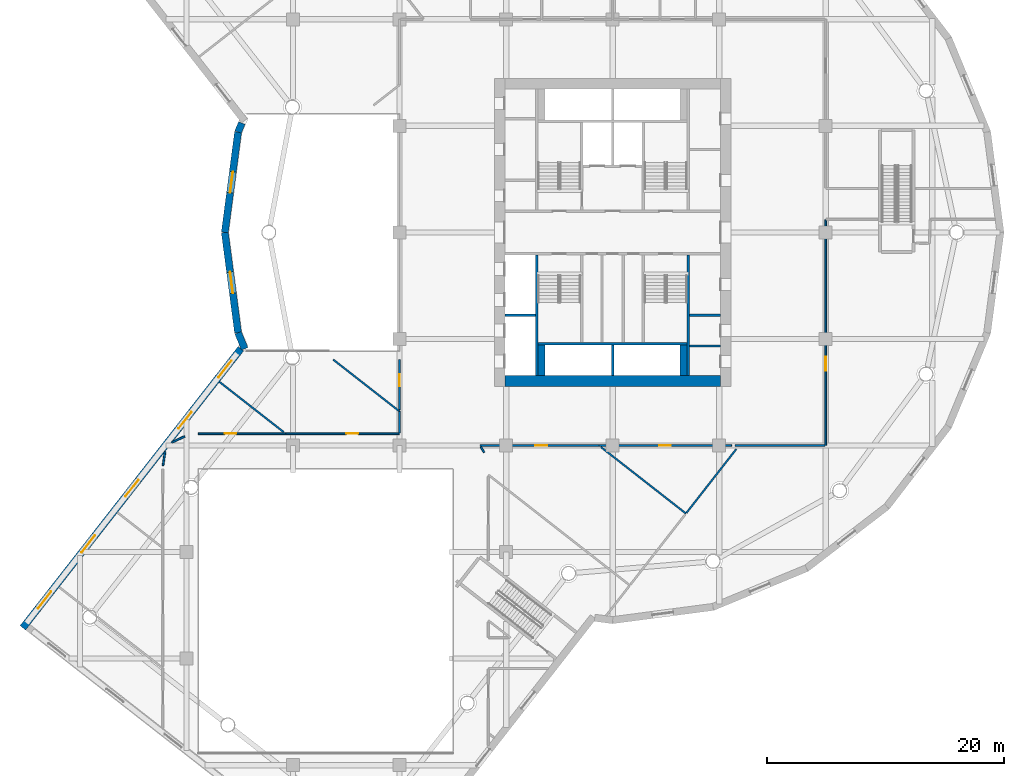
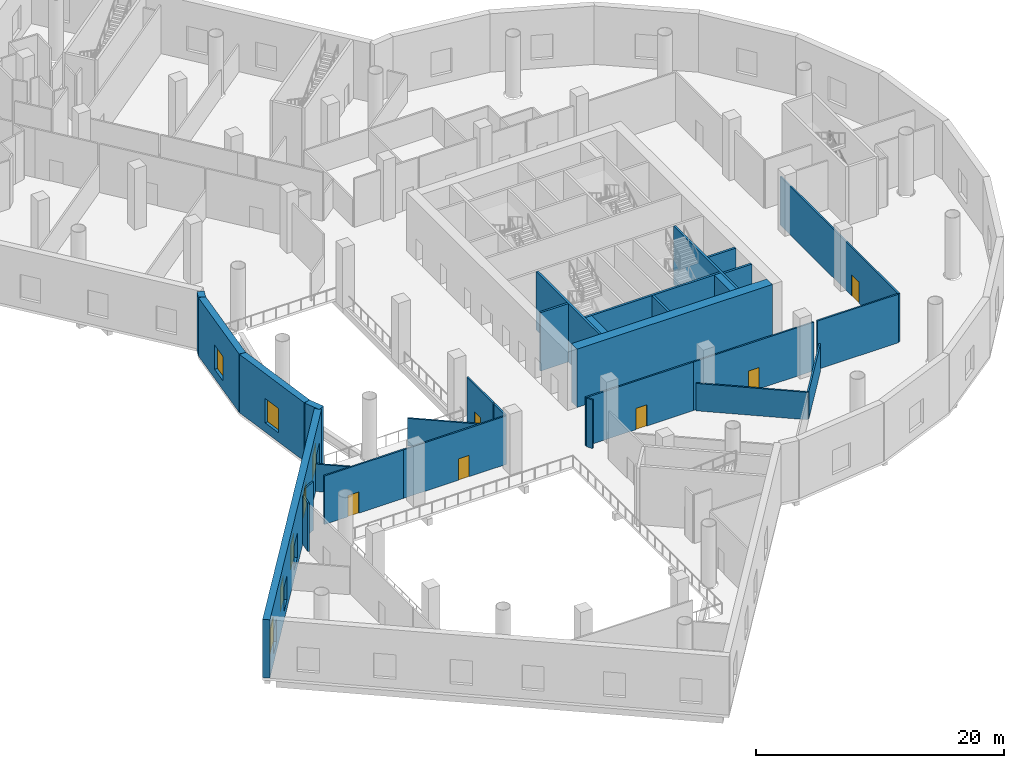
# One storey, part 5 of 24: 30 walls, 7 windows, 6 doors, 13 openings.
"""IFC4 building model written with IfcOpenShell, lengths in metres."""

from ifc_helpers import new_model, si_unit, direction, frame, frame_2d, origin, place, context, subcontext, project, spatial, rectangle, extrude, material, layer, layer_set, type_object, element, fill, save


model = new_model("IFC4")

# Units and contexts
model_context = context("Model", 3, precision=1e-05, world=origin(), true_north=direction((0.0, 1.0)))
body_context = subcontext(model_context, "Body", "Model", "MODEL_VIEW")
ifc_project = project(units=[si_unit("LENGTHUNIT", "METRE"), si_unit("AREAUNIT", "SQUARE_METRE"), si_unit("VOLUMEUNIT", "CUBIC_METRE"), si_unit("PLANEANGLEUNIT", "RADIAN"), si_unit("MASSUNIT", "GRAM", prefix="KILO")], contexts=[model_context])

# Site, building, storey
site_placement = place(None, origin())
site = spatial("IfcSite", under=ifc_project, at=site_placement, CompositionType="ELEMENT")
building_placement = place(site_placement, origin())
building = spatial("IfcBuilding", under=site, at=building_placement, Name="Tarsis Ring Headquarters", CompositionType="ELEMENT")
storey_placement = place(building_placement, frame((0.0, 0.0, 8.0)))
storey = spatial("IfcBuildingStorey", under=building, at=storey_placement, Name="L01", CompositionType="ELEMENT", Elevation=8.0)

# Walls
ifc_material_1 = material(Name="Blockwork", Category="masonry")
ifc_layer_1 = layer(ifc_material_1, 0.199951171875)
ifc_layer_set_1 = layer_set([ifc_layer_1], Name="Core blockwork wall 200")
wall_type_1 = type_object("IfcWallType", Name="Core blockwork wall 200", PredefinedType="PARTITIONING", material=ifc_layer_set_1)
for number, where, z_axis, x_axis, name in (
    (1, (6.5, -9.60009765625, 0.0), (0.0, 0.0, 1.0), (1.0, 0.0, 0.0), "Core partition ED1"),
    (2, (6.5, -7.0, 0.0), (0.0, 0.0, 1.0), (1.0, 0.0, 0.0), "Core partition ED2"),
):
    element("IfcWall", number, at=place(storey_placement, frame(where, z_axis=z_axis, x_axis=x_axis)), inside=storey, type_object=wall_type_1, Name=name, PredefinedType="PARTITIONING", context=body_context, shape_type="SweptSolid", body=[
        extrude(rectangle(XDim=2.60009765625, YDim=0.199951171875, at=frame_2d((1.300048828125, 0.0))), origin(), (0.0, 0.0, 1.0), 5.75),
    ])
ifc_material_2 = material(Name="Concrete C60/75", Category="concrete")
ifc_layer_2 = layer(ifc_material_2, 0.89990234375)
ifc_layer_set_2 = layer_set([ifc_layer_2], Name="Core wall 900 C60/75")
wall_type_2 = type_object("IfcWallType", Name="Core wall 900 C60/75", PredefinedType="SHEAR", material=ifc_layer_set_2)
wall_1_placement = place(storey_placement, frame((-9.10009765625, -12.550048828125, 0.0), z_axis=(0.0, 0.0, 1.0), x_axis=(1.0, 0.0, 0.0)))
element("IfcWall", 3, at=wall_1_placement, inside=storey, type_object=wall_type_2, Name="Core wall OS", PredefinedType="SHEAR", context=body_context, shape_type="SweptSolid", body=[
    extrude(rectangle(XDim=18.2001953125, YDim=0.89990234375, at=frame_2d((9.10009765625, 0.0))), origin(), (0.0, 0.0, 1.0), 5.75),
])
ifc_material_3 = material(Name="Plasterboard partition")
ifc_layer_3 = layer(ifc_material_3, 0.14990234375)
ifc_layer_set_3 = layer_set([ifc_layer_3], Name="PO-PW150")
wall_type_3 = type_object("IfcWallType", Name="PO-PW150", PredefinedType="PARTITIONING", material=ifc_layer_set_3)
wall_2_placement = place(storey_placement, frame((-0.9892578125, -18.135498046875, 0.0), z_axis=(0.0, 0.0, 1.0), x_axis=(0.788008941522, -0.615663794681, 0.0)))
element("IfcWall", 4, at=wall_2_placement, inside=storey, type_object=wall_type_3, Name="L01 partition wall 25", PredefinedType="PARTITIONING", context=body_context, shape_type="SweptSolid", body=[
    extrude(rectangle(XDim=9.1142578125, YDim=0.14990234375, at=frame_2d((4.55712890625, 0.0))), origin(), (0.0, 0.0, 1.0), 2.699951171875),
])
wall_3_placement = place(storey_placement, frame((-23.598876953125, -10.75, 0.0), z_axis=(0.0, 0.0, 1.0), x_axis=(0.788014475649, -0.615656711299, 0.0)))
element("IfcWall", 5, at=wall_3_placement, inside=storey, type_object=wall_type_3, Name="L01 partition wall 36", PredefinedType="PARTITIONING", context=body_context, shape_type="SweptSolid", body=[
    extrude(rectangle(XDim=7.10498046875, YDim=0.14990234375, at=frame_2d((3.552490234375, 0.0))), origin(), (0.0, 0.0, 1.0), 2.699951171875),
])
wall_4_placement = place(storey_placement, frame((-33.215576171875, -12.62744140625, 0.0), z_axis=(0.0, 0.0, 1.0), x_axis=(0.78801899559, -0.615650925923, 0.0)))
element("IfcWall", 6, at=wall_4_placement, inside=storey, type_object=wall_type_3, Name="L01 partition wall 37", PredefinedType="PARTITIONING", context=body_context, shape_type="SweptSolid", body=[
    extrude(rectangle(XDim=6.88232421875, YDim=0.14990234375, at=frame_2d((3.441162109375, 0.0))), origin(), (0.0, 0.0, 1.0), 2.699951171875),
])
wall_5_placement = place(storey_placement, frame((6.2421875, -23.683837890625, 0.0), z_axis=(0.0, 0.0, 1.0), x_axis=(0.615651683452, 0.788018403759, 0.0)))
element("IfcWall", 7, at=wall_5_placement, inside=storey, type_object=wall_type_3, Name="L01 partition wall 38", PredefinedType="PARTITIONING", context=body_context, shape_type="SweptSolid", body=[
    extrude(rectangle(XDim=6.820068359375, YDim=0.14990234375, at=frame_2d((3.41015625, 0.0))), origin(), (0.0, 0.0, 1.0), 2.699951171875),
])

# Wall, opening, door
ifc_layer_4 = layer(ifc_material_3, 0.14990234375)
ifc_layer_set_4 = layer_set([ifc_layer_4], Name="PO-PW150R-4783")
wall_type_4 = type_object("IfcWallType", Name="PO-PW150R-4783", PredefinedType="PARTITIONING", material=ifc_layer_set_4)
wall_6_placement = place(storey_placement, frame((18.0, 1.050048828125, 0.0), z_axis=(0.0, 0.0, 1.0), x_axis=(0.0, -1.0, 0.0)))
wall_6 = element("IfcWall", 8, at=wall_6_placement, inside=storey, type_object=wall_type_4, Name="L01 partition wall 1", PredefinedType="PARTITIONING", context=body_context, shape_type="SweptSolid", body=[
    extrude(rectangle(XDim=19.050048828125, YDim=0.14990234375, at=frame_2d((9.52490234375, 0.0))), origin(), (0.0, 0.0, 1.0), 4.782958984375),
])
opening_1_placement = place(wall_6_placement, frame((11.534912109375, 0.0, 0.0)))
opening_1 = element("IfcOpeningElement", 9, at=opening_1_placement, cuts=wall_6, Name="Opening PO-D2", PredefinedType="OPENING", context=body_context, shape_type="SweptSolid", body=[
    extrude(rectangle(XDim=1.199951171875, YDim=2.10009765625, at=frame_2d((0.60009765625, 1.050048828125))), frame((0.0, 0.0849609375, 0.0), z_axis=(0.0, -1.0, 0.0), x_axis=(1.0, 0.0, 0.0)), (0.0, 0.0, 1.0), 0.169921875),
])
ifc_material_4 = material(Name="Timber door", Category="wood")
door_type_1 = type_object("IfcDoorType", Name="PO-D1200", OperationType="NOTDEFINED", PredefinedType="DOOR", material=ifc_material_4)
door_1_placement = place(opening_1_placement, origin())
door_1 = element("IfcDoor", 10, at=door_1_placement, inside=storey, type_object=door_type_1, Name="Kitchen delivery store door", OperationType="SINGLE_SWING_LEFT", OverallHeight=2.10009765625, OverallWidth=1.199951171875, PredefinedType="DOOR", context=body_context, shape_type="SweptSolid", body=[
    extrude(rectangle(XDim=1.199951171875, YDim=2.10009765625, at=frame_2d((0.60009765625, 1.050048828125))), frame((0.0, 0.02490234375, 0.0), z_axis=(0.0, -1.0, 0.0), x_axis=(1.0, 0.0, 0.0)), (0.0, 0.0, 1.0), 0.050048828125),
])
fill(opening_1, door_1)

wall_7_placement = place(storey_placement, frame((10.044677734375, -18.0, 0.0), z_axis=(0.0, 0.0, 1.0), x_axis=(-1.0, 0.0, 0.0)))
wall_7 = element("IfcWall", 11, at=wall_7_placement, inside=storey, type_object=wall_type_4, Name="L01 partition wall 10", PredefinedType="PARTITIONING", context=body_context, shape_type="SweptSolid", body=[
    extrude(rectangle(XDim=11.207275390625, YDim=0.14990234375, at=frame_2d((5.603515625, 0.0))), origin(), (0.0, 0.0, 1.0), 4.782958984375),
])
opening_2_placement = place(wall_7_placement, frame((5.1201171875, 0.0, 0.0)))
opening_2 = element("IfcOpeningElement", 12, at=opening_2_placement, cuts=wall_7, Name="Opening PO-D1", PredefinedType="OPENING", context=body_context, shape_type="SweptSolid", body=[
    extrude(rectangle(XDim=1.0, YDim=2.10009765625, at=frame_2d((0.5, 1.050048828125))), frame((0.0, 0.0849609375, 0.0), z_axis=(0.0, -1.0, 0.0), x_axis=(1.0, 0.0, 0.0)), (0.0, 0.0, 1.0), 0.169921875),
])
door_type_2 = type_object("IfcDoorType", Name="PO-D1000", OperationType="NOTDEFINED", PredefinedType="DOOR", material=ifc_material_4)
door_2_placement = place(opening_2_placement, origin())
door_2 = element("IfcDoor", 13, at=door_2_placement, inside=storey, type_object=door_type_2, Name="Auditorium control room door", OperationType="SINGLE_SWING_RIGHT", OverallHeight=2.10009765625, OverallWidth=1.0, PredefinedType="DOOR", context=body_context, shape_type="SweptSolid", body=[
    extrude(rectangle(XDim=1.0, YDim=2.10009765625, at=frame_2d((0.5, 1.050048828125))), frame((0.0, 0.02490234375, 0.0), z_axis=(0.0, -1.0, 0.0), x_axis=(1.0, 0.0, 0.0)), (0.0, 0.0, 1.0), 0.050048828125),
])
fill(opening_2, door_2)

wall_8_placement = place(storey_placement, frame((-1.16259765625, -18.0, 0.0), z_axis=(0.0, 0.0, 1.0), x_axis=(-1.0, 0.0, 0.0)))
wall_8 = element("IfcWall", 14, at=wall_8_placement, inside=storey, type_object=wall_type_4, Name="L01 partition wall 23", PredefinedType="PARTITIONING", context=body_context, shape_type="SweptSolid", body=[
    extrude(rectangle(XDim=10.025146484375, YDim=0.14990234375, at=frame_2d((5.0126953125, 0.0))), origin(), (0.0, 0.0, 1.0), 4.782958984375),
])
opening_3_placement = place(wall_8_placement, frame((4.3701171875, 0.0, 0.0)))
opening_3 = element("IfcOpeningElement", 15, at=opening_3_placement, cuts=wall_8, Name="Opening PO-D1", PredefinedType="OPENING", context=body_context, shape_type="SweptSolid", body=[
    extrude(rectangle(XDim=1.0, YDim=2.10009765625, at=frame_2d((0.5, 1.050048828125))), frame((0.0, 0.0849609375, 0.0), z_axis=(0.0, -1.0, 0.0), x_axis=(1.0, 0.0, 0.0)), (0.0, 0.0, 1.0), 0.169921875),
])
door_3_placement = place(opening_3_placement, origin())
door_3 = element("IfcDoor", 16, at=door_3_placement, inside=storey, type_object=door_type_2, Name="Projection room door", OperationType="SINGLE_SWING_LEFT", OverallHeight=2.10009765625, OverallWidth=1.0, PredefinedType="DOOR", context=body_context, shape_type="SweptSolid", body=[
    extrude(rectangle(XDim=1.0, YDim=2.10009765625, at=frame_2d((0.5, 1.050048828125))), frame((0.0, 0.02490234375, 0.0), z_axis=(0.0, -1.0, 0.0), x_axis=(1.0, 0.0, 0.0)), (0.0, 0.0, 1.0), 0.050048828125),
])
fill(opening_3, door_3)

wall_9_placement = place(storey_placement, frame((-27.618896484375, -17.0, 0.0), z_axis=(0.0, 0.0, 1.0), x_axis=(1.0, 0.0, 0.0)))
wall_9 = element("IfcWall", 17, at=wall_9_placement, inside=storey, type_object=wall_type_4, Name="L01 partition wall 24", PredefinedType="PARTITIONING", context=body_context, shape_type="SweptSolid", body=[
    extrude(rectangle(XDim=9.578857421875, YDim=0.14990234375, at=frame_2d((4.78955078125, 0.0))), origin(), (0.0, 0.0, 1.0), 4.782958984375),
])
opening_4_placement = place(wall_9_placement, frame((5.1201171875, 0.0, 0.0)))
opening_4 = element("IfcOpeningElement", 18, at=opening_4_placement, cuts=wall_9, Name="Opening PO-D1", PredefinedType="OPENING", context=body_context, shape_type="SweptSolid", body=[
    extrude(rectangle(XDim=1.0, YDim=2.10009765625, at=frame_2d((0.5, 1.050048828125))), frame((0.0, 0.0849609375, 0.0), z_axis=(0.0, -1.0, 0.0), x_axis=(1.0, 0.0, 0.0)), (0.0, 0.0, 1.0), 0.169921875),
])
door_4_placement = place(opening_4_placement, origin())
door_4 = element("IfcDoor", 19, at=door_4_placement, inside=storey, type_object=door_type_2, Name="Artists' lounge door", OperationType="SINGLE_SWING_RIGHT", OverallHeight=2.10009765625, OverallWidth=1.0, PredefinedType="DOOR", context=body_context, shape_type="SweptSolid", body=[
    extrude(rectangle(XDim=1.0, YDim=2.10009765625, at=frame_2d((0.5, 1.050048828125))), frame((0.0, 0.02490234375, 0.0), z_axis=(0.0, -1.0, 0.0), x_axis=(1.0, 0.0, 0.0)), (0.0, 0.0, 1.0), 0.050048828125),
])
fill(opening_4, door_4)

# Wall
wall_10_placement = place(storey_placement, frame((17.919921875, -18.0, 0.0), z_axis=(0.0, 0.0, 1.0), x_axis=(-1.0, 0.0, 0.0)))
element("IfcWall", 20, at=wall_10_placement, inside=storey, type_object=wall_type_4, Name="L01 partition wall 32", PredefinedType="PARTITIONING", context=body_context, shape_type="SweptSolid", body=[
    extrude(rectangle(XDim=7.5634765625, YDim=0.14990234375, at=frame_2d((3.78173828125, 0.0))), origin(), (0.0, 0.0, 1.0), 4.782958984375),
])

# Wall, opening, door
wall_11_placement = place(storey_placement, frame((-35.0, -17.0, 0.0), z_axis=(0.0, 0.0, 1.0), x_axis=(1.0, 0.0, 0.0)))
wall_11 = element("IfcWall", 21, at=wall_11_placement, inside=storey, type_object=wall_type_4, Name="L01 partition wall 34", PredefinedType="PARTITIONING", context=body_context, shape_type="SweptSolid", body=[
    extrude(rectangle(XDim=7.381103515625, YDim=0.14990234375, at=frame_2d((3.6904296875, 0.0))), origin(), (0.0, 0.0, 1.0), 4.782958984375),
])
opening_5_placement = place(wall_11_placement, frame((2.219970703125, 0.0, 0.0)))
opening_5 = element("IfcOpeningElement", 22, at=opening_5_placement, cuts=wall_11, Name="Opening PO-D1", PredefinedType="OPENING", context=body_context, shape_type="SweptSolid", body=[
    extrude(rectangle(XDim=1.0, YDim=2.10009765625, at=frame_2d((0.5, 1.050048828125))), frame((0.0, 0.0849609375, 0.0), z_axis=(0.0, -1.0, 0.0), x_axis=(1.0, 0.0, 0.0)), (0.0, 0.0, 1.0), 0.169921875),
])
door_5_placement = place(opening_5_placement, origin())
door_5 = element("IfcDoor", 23, at=door_5_placement, inside=storey, type_object=door_type_2, Name="Auditorium control room door", OperationType="SINGLE_SWING_LEFT", OverallHeight=2.10009765625, OverallWidth=1.0, PredefinedType="DOOR", context=body_context, shape_type="SweptSolid", body=[
    extrude(rectangle(XDim=1.0, YDim=2.10009765625, at=frame_2d((0.5, 1.050048828125))), frame((0.0, 0.02490234375, 0.0), z_axis=(0.0, -1.0, 0.0), x_axis=(1.0, 0.0, 0.0)), (0.0, 0.0, 1.0), 0.050048828125),
])
fill(opening_5, door_5)

wall_12_placement = place(storey_placement, frame((-18.0, -14.96435546875, 0.0), z_axis=(0.0, 0.0, 1.0), x_axis=(0.0, 1.0, 0.0)))
wall_12 = element("IfcWall", 24, at=wall_12_placement, inside=storey, type_object=wall_type_4, Name="L01 partition wall 60", PredefinedType="PARTITIONING", context=body_context, shape_type="SweptSolid", body=[
    extrude(rectangle(XDim=4.21435546875, YDim=0.14990234375, at=frame_2d((2.107177734375, 0.0))), origin(), (0.0, 0.0, 1.0), 4.782958984375),
])
opening_6_placement = place(wall_12_placement, frame((1.988525390625, 0.0, 0.0)))
opening_6 = element("IfcOpeningElement", 25, at=opening_6_placement, cuts=wall_12, Name="Opening PO-D1", PredefinedType="OPENING", context=body_context, shape_type="SweptSolid", body=[
    extrude(rectangle(XDim=1.0, YDim=2.10009765625, at=frame_2d((0.5, 1.050048828125))), frame((0.0, 0.0849609375, 0.0), z_axis=(0.0, -1.0, 0.0), x_axis=(1.0, 0.0, 0.0)), (0.0, 0.0, 1.0), 0.169921875),
])
door_6_placement = place(opening_6_placement, origin())
door_6 = element("IfcDoor", 26, at=door_6_placement, inside=storey, type_object=door_type_2, Name="Production office door", OperationType="SINGLE_SWING_LEFT", OverallHeight=2.10009765625, OverallWidth=1.0, PredefinedType="DOOR", context=body_context, shape_type="SweptSolid", body=[
    extrude(rectangle(XDim=1.0, YDim=2.10009765625, at=frame_2d((0.5, 1.050048828125))), frame((0.0, 0.02490234375, 0.0), z_axis=(0.0, -1.0, 0.0), x_axis=(1.0, 0.0, 0.0)), (0.0, 0.0, 1.0), 0.050048828125),
])
fill(opening_6, door_6)

# Walls
wall_13_placement = place(storey_placement, frame((-18.0, -16.940185546875, 0.0), z_axis=(0.0, 0.0, 1.0), x_axis=(0.0, 1.0, 0.0)))
element("IfcWall", 27, at=wall_13_placement, inside=storey, type_object=wall_type_4, Name="L01 partition wall 95", PredefinedType="PARTITIONING", context=body_context, shape_type="SweptSolid", body=[
    extrude(rectangle(XDim=1.81591796875, YDim=0.14990234375, at=frame_2d((0.907958984375, 0.0))), origin(), (0.0, 0.0, 1.0), 4.782958984375),
])
wall_14_placement = place(storey_placement, frame((-37.985595703125, -19.7060546875, 0.0), z_axis=(0.0, 0.0, 1.0), x_axis=(0.146738067474, 0.989175383617, 0.0)))
element("IfcWall", 28, at=wall_14_placement, inside=storey, type_object=wall_type_4, Name="L01 partition wall 107", PredefinedType="PARTITIONING", context=body_context, shape_type="SweptSolid", body=[
    extrude(rectangle(XDim=1.214599609375, YDim=0.14990234375, at=frame_2d((0.607421875, 0.0))), origin(), (0.0, 0.0, 1.0), 4.782958984375),
])
wall_15_placement = place(storey_placement, frame((-37.1982421875, -17.72509765625, 0.0), z_axis=(0.0, 0.0, 1.0), x_axis=(0.903964477643, 0.427607557416, 0.0)))
element("IfcWall", 29, at=wall_15_placement, inside=storey, type_object=wall_type_4, Name="L01 partition wall 109", PredefinedType="PARTITIONING", context=body_context, shape_type="SweptSolid", body=[
    extrude(rectangle(XDim=1.161865234375, YDim=0.14990234375, at=frame_2d((0.5810546875, 0.0))), origin(), (0.0, 0.0, 1.0), 4.782958984375),
])
wall_16_placement = place(storey_placement, frame((-11.13623046875, -18.115234375, 0.0), z_axis=(0.0, 0.0, 1.0), x_axis=(0.514102956652, -0.857728482657, 0.0)))
element("IfcWall", 30, at=wall_16_placement, inside=storey, type_object=wall_type_4, Name="L01 partition wall 120", PredefinedType="PARTITIONING", context=body_context, shape_type="SweptSolid", body=[
    extrude(rectangle(XDim=0.548583984375, YDim=0.14990234375, at=frame_2d((0.2744140625, 0.0))), origin(), (0.0, 0.0, 1.0), 4.782958984375),
])
ifc_layer_5 = layer(ifc_material_2, 0.60009765625)
ifc_layer_set_5 = layer_set([ifc_layer_5], Name="PO-W600")
wall_type_5 = type_object("IfcWallType", Name="PO-W600", PredefinedType="SOLIDWALL", material=ifc_layer_set_5)
wall_17_placement = place(storey_placement, frame((-31.325927734375, 9.24072265625, 0.0), z_axis=(0.0, 0.0, 1.0), x_axis=(-0.382534701942, -0.923941124645, 0.0)))
element("IfcWall", 31, at=wall_17_placement, inside=storey, type_object=wall_type_5, Name="L01 external wall 2", PredefinedType="SOLIDWALL", context=body_context, shape_type="SweptSolid", body=[
    extrude(rectangle(XDim=0.8251953125, YDim=0.60009765625, at=frame_2d((0.41259765625, 0.0))), origin(), (0.0, 0.0, 1.0), 5.75),
])

# Wall, opening, window
wall_18_placement = place(storey_placement, frame((-31.6416015625, 8.478271484375, 0.0), z_axis=(0.0, 0.0, 1.0), x_axis=(-0.130529102837, -0.991444478179, 0.0)))
wall_18 = element("IfcWall", 32, at=wall_18_placement, inside=storey, type_object=wall_type_5, Name="L01 external wall 3", PredefinedType="SOLIDWALL", context=body_context, shape_type="SweptSolid", body=[
    extrude(rectangle(XDim=8.551513671875, YDim=0.60009765625, at=frame_2d((4.27587890625, 0.0))), origin(), (0.0, 0.0, 1.0), 5.75),
])
opening_7_placement = place(wall_18_placement, frame((3.375732421875, 0.0, 0.89990234375)))
opening_7 = element("IfcOpeningElement", 33, at=opening_7_placement, cuts=wall_18, Name="Opening PO-WN1", PredefinedType="OPENING", context=body_context, shape_type="SweptSolid", body=[
    extrude(rectangle(XDim=1.800048828125, YDim=2.39990234375, at=frame_2d((0.89990234375, 1.199951171875))), frame((0.0, 0.31005859375, 0.0), z_axis=(0.0, -1.0, 0.0), x_axis=(1.0, 0.0, 0.0)), (0.0, 0.0, 1.0), 0.6201171875),
])
ifc_material_5 = material(Name="Double glazing", Category="glass")
window_type = type_object("IfcWindowType", Name="PO-WN1800", PartitioningType="SINGLE_PANEL", PredefinedType="WINDOW", material=ifc_material_5)
window_1_placement = place(opening_7_placement, origin())
window_1 = element("IfcWindow", 34, at=window_1_placement, inside=storey, type_object=window_type, Name="L01 window 3.1", OverallHeight=2.39990234375, OverallWidth=1.800048828125, PartitioningType="SINGLE_PANEL", PredefinedType="WINDOW", context=body_context, shape_type="SweptSolid", body=[
    extrude(rectangle(XDim=1.800048828125, YDim=2.39990234375, at=frame_2d((0.89990234375, 1.199951171875))), frame((0.0, 0.030029296875, 0.0), z_axis=(0.0, -1.0, 0.0), x_axis=(1.0, 0.0, 0.0)), (0.0, 0.0, 1.0), 0.06005859375),
])
fill(opening_7, window_1)

wall_19_placement = place(storey_placement, frame((-32.7578125, 0.0, 0.0), z_axis=(0.0, 0.0, 1.0), x_axis=(0.130529102837, -0.991444478179, 0.0)))
wall_19 = element("IfcWall", 35, at=wall_19_placement, inside=storey, type_object=wall_type_5, Name="L01 external wall 4", PredefinedType="SOLIDWALL", context=body_context, shape_type="SweptSolid", body=[
    extrude(rectangle(XDim=8.551513671875, YDim=0.60009765625, at=frame_2d((4.27587890625, 0.0))), origin(), (0.0, 0.0, 1.0), 5.75),
])
opening_8_placement = place(wall_19_placement, frame((3.375732421875, 0.0, 0.89990234375)))
opening_8 = element("IfcOpeningElement", 36, at=opening_8_placement, cuts=wall_19, Name="Opening PO-WN1", PredefinedType="OPENING", context=body_context, shape_type="SweptSolid", body=[
    extrude(rectangle(XDim=1.800048828125, YDim=2.39990234375, at=frame_2d((0.89990234375, 1.199951171875))), frame((0.0, 0.31005859375, 0.0), z_axis=(0.0, -1.0, 0.0), x_axis=(1.0, 0.0, 0.0)), (0.0, 0.0, 1.0), 0.6201171875),
])
window_2_placement = place(opening_8_placement, origin())
window_2 = element("IfcWindow", 37, at=window_2_placement, inside=storey, type_object=window_type, Name="L01 window 4.1", OverallHeight=2.39990234375, OverallWidth=1.800048828125, PartitioningType="SINGLE_PANEL", PredefinedType="WINDOW", context=body_context, shape_type="SweptSolid", body=[
    extrude(rectangle(XDim=1.800048828125, YDim=2.39990234375, at=frame_2d((0.89990234375, 1.199951171875))), frame((0.0, 0.030029296875, 0.0), z_axis=(0.0, -1.0, 0.0), x_axis=(1.0, 0.0, 0.0)), (0.0, 0.0, 1.0), 0.06005859375),
])
fill(opening_8, window_2)

# Wall
wall_20_placement = place(storey_placement, frame((-31.6416015625, -8.478271484375, 0.0), z_axis=(0.0, 0.0, 1.0), x_axis=(0.382709854909, -0.923868587493, 0.0)))
element("IfcWall", 38, at=wall_20_placement, inside=storey, type_object=wall_type_5, Name="L01 external wall 5", PredefinedType="SOLIDWALL", context=body_context, shape_type="SweptSolid", body=[
    extrude(rectangle(XDim=1.46533203125, YDim=0.60009765625, at=frame_2d((0.732666015625, 0.0))), origin(), (0.0, 0.0, 1.0), 5.75),
])

# Wall, openings, windows
wall_21_placement = place(storey_placement, frame((-31.405029296875, -9.82275390625, 0.0), z_axis=(0.0, 0.0, 1.0), x_axis=(-0.615662407014, -0.788010025691, 0.0)))
wall_21 = element("IfcWall", 39, at=wall_21_placement, inside=storey, type_object=wall_type_5, Name="L01 external wall 6", PredefinedType="SOLIDWALL", context=body_context, shape_type="SweptSolid", body=[
    extrude(rectangle(XDim=29.9248046875, YDim=0.60009765625, at=frame_2d((14.96240234375, 0.0))), origin(), (0.0, 0.0, 1.0), 5.75),
])
opening_9_placement = place(wall_21_placement, frame((1.29248046875, 0.0, 0.89990234375)))
opening_9 = element("IfcOpeningElement", 40, at=opening_9_placement, cuts=wall_21, Name="Opening PO-WN1", PredefinedType="OPENING", context=body_context, shape_type="SweptSolid", body=[
    extrude(rectangle(XDim=1.800048828125, YDim=2.39990234375, at=frame_2d((0.89990234375, 1.199951171875))), frame((0.0, 0.31005859375, 0.0), z_axis=(0.0, -1.0, 0.0), x_axis=(1.0, 0.0, 0.0)), (0.0, 0.0, 1.0), 0.6201171875),
])
opening_10_placement = place(wall_21_placement, frame((6.77734375, 0.0, 0.89990234375)))
opening_10 = element("IfcOpeningElement", 41, at=opening_10_placement, cuts=wall_21, Name="Opening PO-WN1", PredefinedType="OPENING", context=body_context, shape_type="SweptSolid", body=[
    extrude(rectangle(XDim=1.800048828125, YDim=2.39990234375, at=frame_2d((0.89990234375, 1.199951171875))), frame((0.0, 0.31005859375, 0.0), z_axis=(0.0, -1.0, 0.0), x_axis=(1.0, 0.0, 0.0)), (0.0, 0.0, 1.0), 0.6201171875),
])
opening_11_placement = place(wall_21_placement, frame((14.062255859375, 0.0, 0.89990234375)))
opening_11 = element("IfcOpeningElement", 42, at=opening_11_placement, cuts=wall_21, Name="Opening PO-WN1", PredefinedType="OPENING", context=body_context, shape_type="SweptSolid", body=[
    extrude(rectangle(XDim=1.800048828125, YDim=2.39990234375, at=frame_2d((0.89990234375, 1.199951171875))), frame((0.0, 0.31005859375, 0.0), z_axis=(0.0, -1.0, 0.0), x_axis=(1.0, 0.0, 0.0)), (0.0, 0.0, 1.0), 0.6201171875),
])
opening_12_placement = place(wall_21_placement, frame((20.04736328125, 0.0, 0.89990234375)))
opening_12 = element("IfcOpeningElement", 43, at=opening_12_placement, cuts=wall_21, Name="Opening PO-WN1", PredefinedType="OPENING", context=body_context, shape_type="SweptSolid", body=[
    extrude(rectangle(XDim=1.800048828125, YDim=2.39990234375, at=frame_2d((0.89990234375, 1.199951171875))), frame((0.0, 0.31005859375, 0.0), z_axis=(0.0, -1.0, 0.0), x_axis=(1.0, 0.0, 0.0)), (0.0, 0.0, 1.0), 0.6201171875),
])
opening_13_placement = place(wall_21_placement, frame((26.0322265625, 0.0, 0.89990234375)))
opening_13 = element("IfcOpeningElement", 44, at=opening_13_placement, cuts=wall_21, Name="Opening PO-WN1", PredefinedType="OPENING", context=body_context, shape_type="SweptSolid", body=[
    extrude(rectangle(XDim=1.800048828125, YDim=2.39990234375, at=frame_2d((0.89990234375, 1.199951171875))), frame((0.0, 0.31005859375, 0.0), z_axis=(0.0, -1.0, 0.0), x_axis=(1.0, 0.0, 0.0)), (0.0, 0.0, 1.0), 0.6201171875),
])
window_3_placement = place(opening_9_placement, origin())
window_3 = element("IfcWindow", 45, at=window_3_placement, inside=storey, type_object=window_type, Name="L01 window 6.1", OverallHeight=2.39990234375, OverallWidth=1.800048828125, PartitioningType="SINGLE_PANEL", PredefinedType="WINDOW", context=body_context, shape_type="SweptSolid", body=[
    extrude(rectangle(XDim=1.800048828125, YDim=2.39990234375, at=frame_2d((0.89990234375, 1.199951171875))), frame((0.0, 0.030029296875, 0.0), z_axis=(0.0, -1.0, 0.0), x_axis=(1.0, 0.0, 0.0)), (0.0, 0.0, 1.0), 0.06005859375),
])
fill(opening_9, window_3)
window_4_placement = place(opening_10_placement, origin())
window_4 = element("IfcWindow", 46, at=window_4_placement, inside=storey, type_object=window_type, Name="L01 window 6.2", OverallHeight=2.39990234375, OverallWidth=1.800048828125, PartitioningType="SINGLE_PANEL", PredefinedType="WINDOW", context=body_context, shape_type="SweptSolid", body=[
    extrude(rectangle(XDim=1.800048828125, YDim=2.39990234375, at=frame_2d((0.89990234375, 1.199951171875))), frame((0.0, 0.030029296875, 0.0), z_axis=(0.0, -1.0, 0.0), x_axis=(1.0, 0.0, 0.0)), (0.0, 0.0, 1.0), 0.06005859375),
])
fill(opening_10, window_4)
window_5_placement = place(opening_11_placement, origin())
window_5 = element("IfcWindow", 47, at=window_5_placement, inside=storey, type_object=window_type, Name="L01 window 6.3", OverallHeight=2.39990234375, OverallWidth=1.800048828125, PartitioningType="SINGLE_PANEL", PredefinedType="WINDOW", context=body_context, shape_type="SweptSolid", body=[
    extrude(rectangle(XDim=1.800048828125, YDim=2.39990234375, at=frame_2d((0.89990234375, 1.199951171875))), frame((0.0, 0.030029296875, 0.0), z_axis=(0.0, -1.0, 0.0), x_axis=(1.0, 0.0, 0.0)), (0.0, 0.0, 1.0), 0.06005859375),
])
fill(opening_11, window_5)
window_6_placement = place(opening_12_placement, origin())
window_6 = element("IfcWindow", 48, at=window_6_placement, inside=storey, type_object=window_type, Name="L01 window 6.4", OverallHeight=2.39990234375, OverallWidth=1.800048828125, PartitioningType="SINGLE_PANEL", PredefinedType="WINDOW", context=body_context, shape_type="SweptSolid", body=[
    extrude(rectangle(XDim=1.800048828125, YDim=2.39990234375, at=frame_2d((0.89990234375, 1.199951171875))), frame((0.0, 0.030029296875, 0.0), z_axis=(0.0, -1.0, 0.0), x_axis=(1.0, 0.0, 0.0)), (0.0, 0.0, 1.0), 0.06005859375),
])
fill(opening_12, window_6)
window_7_placement = place(opening_13_placement, origin())
window_7 = element("IfcWindow", 49, at=window_7_placement, inside=storey, type_object=window_type, Name="L01 window 6.5", OverallHeight=2.39990234375, OverallWidth=1.800048828125, PartitioningType="SINGLE_PANEL", PredefinedType="WINDOW", context=body_context, shape_type="SweptSolid", body=[
    extrude(rectangle(XDim=1.800048828125, YDim=2.39990234375, at=frame_2d((0.89990234375, 1.199951171875))), frame((0.0, 0.030029296875, 0.0), z_axis=(0.0, -1.0, 0.0), x_axis=(1.0, 0.0, 0.0)), (0.0, 0.0, 1.0), 0.06005859375),
])
fill(opening_13, window_7)

# Walls
ifc_material_6 = material(Name="Concrete C32/40", Category="concrete")
ifc_layer_6 = layer(ifc_material_6, 0.60009765625)
ifc_layer_set_6 = layer_set([ifc_layer_6], Name="Shaft end wall 600 C32/40")
wall_type_6 = type_object("IfcWallType", Name="Shaft end wall 600 C32/40", PredefinedType="SOLIDWALL", material=ifc_layer_set_6)
for number, where, z_axis, x_axis, name in (
    (50, (-6.0, -12.10009765625, 0.0), (0.0, 0.0, 1.0), (0.0, 1.0, 0.0), "Core shaft wall SNE1"),
    (51, (6.0, -12.10009765625, 0.0), (0.0, 0.0, 1.0), (0.0, 1.0, 0.0), "Core shaft wall SNE2"),
):
    element("IfcWall", number, at=place(storey_placement, frame(where, z_axis=z_axis, x_axis=x_axis)), inside=storey, type_object=wall_type_6, Name=name, PredefinedType="SOLIDWALL", context=body_context, shape_type="SweptSolid", body=[
        extrude(rectangle(XDim=2.60009765625, YDim=0.60009765625, at=frame_2d((1.300048828125, 0.0))), origin(), (0.0, 0.0, 1.0), 5.75),
    ])
ifc_layer_7 = layer(ifc_material_6, 0.199951171875)
ifc_layer_set_7 = layer_set([ifc_layer_7], Name="Shaft wall 200 C32/40")
wall_type_7 = type_object("IfcWallType", Name="Shaft wall 200 C32/40", PredefinedType="SOLIDWALL", material=ifc_layer_set_7)
for number, where, z_axis, x_axis, name in (
    (52, (-6.39990234375, -12.10009765625, 0.0), (0.0, 0.0, 1.0), (0.0, 1.0, 0.0), "Core shaft wall WB1"),
    (53, (6.39990234375, -12.10009765625, 0.0), (0.0, 0.0, 1.0), (0.0, 1.0, 0.0), "Core shaft wall EB1"),
):
    element("IfcWall", number, at=place(storey_placement, frame(where, z_axis=z_axis, x_axis=x_axis)), inside=storey, type_object=wall_type_7, Name=name, PredefinedType="SOLIDWALL", context=body_context, shape_type="SweptSolid", body=[
        extrude(rectangle(XDim=10.2001953125, YDim=0.199951171875, at=frame_2d((5.10009765625, 0.0))), origin(), (0.0, 0.0, 1.0), 5.75),
    ])
wall_22_placement = place(storey_placement, frame((-6.300048828125, -9.39990234375, 0.0), z_axis=(0.0, 0.0, 1.0), x_axis=(1.0, 0.0, 0.0)))
element("IfcWall", 54, at=wall_22_placement, inside=storey, type_object=wall_type_7, Name="Core shaft wall SB", PredefinedType="SOLIDWALL", context=body_context, shape_type="SweptSolid", body=[
    extrude(rectangle(XDim=12.60009765625, YDim=0.199951171875, at=frame_2d((6.300048828125, 0.0))), origin(), (0.0, 0.0, 1.0), 5.75),
])
for number, where, z_axis, x_axis, name in (
    (55, (-9.10009765625, -7.0, 0.0), (0.0, 0.0, 1.0), (1.0, 0.0, 0.0), "Core shaft wall WD2"),
    (56, (0.0, -12.10009765625, 0.0), (0.0, 0.0, 1.0), (0.0, 1.0, 0.0), "Core shaft wall SD2"),
):
    element("IfcWall", number, at=place(storey_placement, frame(where, z_axis=z_axis, x_axis=x_axis)), inside=storey, type_object=wall_type_7, Name=name, PredefinedType="SOLIDWALL", context=body_context, shape_type="SweptSolid", body=[
        extrude(rectangle(XDim=2.60009765625, YDim=0.199951171875, at=frame_2d((1.300048828125, 0.0))), origin(), (0.0, 0.0, 1.0), 5.75),
    ])

save(model, "model.ifc")
